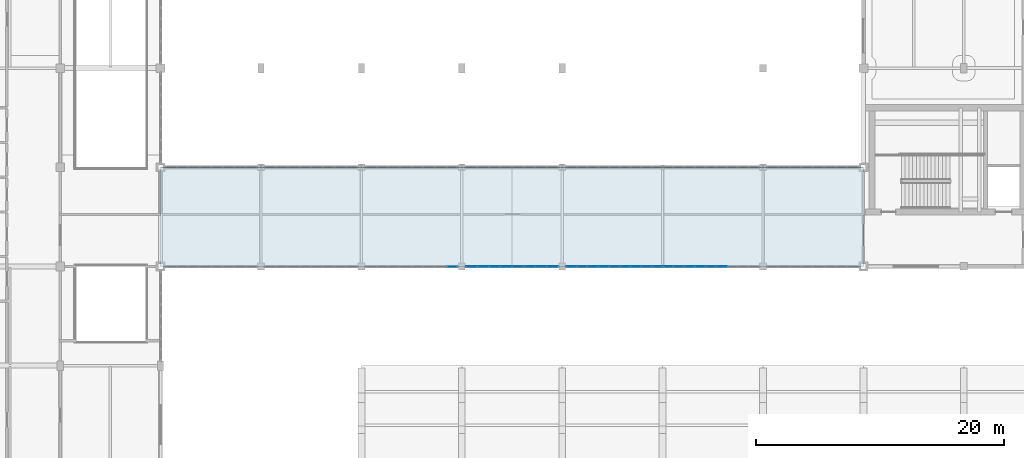
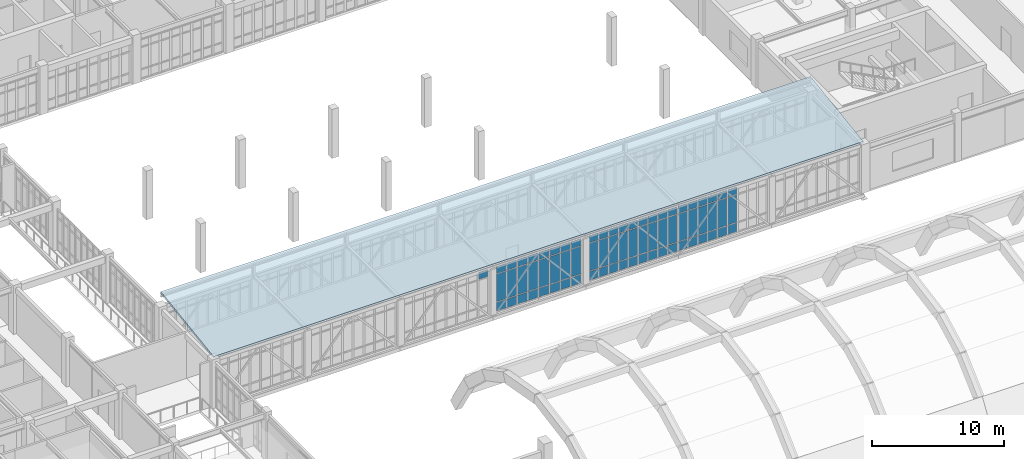
# One storey, part 37 of 67: 70 plates, 1 slab, 4 elements without a shape of their own.
"""IFC4 building model written with IfcOpenShell, lengths in metres."""

from ifc_helpers import new_model, si_unit, direction, frame, origin, origin_2d, place, context, subcontext, project, spatial, polyline, rectangle, outline, extrude, material, layer, layer_set, type_object, element, aggregate, save


model = new_model("IFC4")

# Units and contexts
model_context = context("Model", 3, precision=1e-05, world=origin(), true_north=direction((0.0, 1.0)))
body_context = subcontext(model_context, "Body", "Model", "MODEL_VIEW")
ifc_project = project(units=[si_unit("LENGTHUNIT", "METRE"), si_unit("AREAUNIT", "SQUARE_METRE"), si_unit("VOLUMEUNIT", "CUBIC_METRE"), si_unit("PLANEANGLEUNIT", "RADIAN"), si_unit("MASSUNIT", "GRAM", prefix="KILO")], contexts=[model_context])

# Site, building, storey
site_placement = place(None, origin())
site = spatial("IfcSite", under=ifc_project, at=site_placement, CompositionType="ELEMENT")
building_placement = place(site_placement, origin())
building = spatial("IfcBuilding", under=site, at=building_placement, Name="Tarnveldt Square Police Headquarters", CompositionType="ELEMENT")
storey_placement = place(building_placement, frame((0.0, 0.0, 10.199951171875)))
storey = spatial("IfcBuildingStorey", under=building, at=storey_placement, Name="L02", CompositionType="ELEMENT", Elevation=10.199951171875)

# Curtain wall, plate
ifc_material_1 = material(Name="Triple-glazed low-e laminated vision glass", Category="glass")
curtain_wall_type_1 = type_object("IfcCurtainWallType", Name="CW-SB-752x424", PredefinedType="USERDEFINED", material=ifc_material_1)
curtain_wall_1_placement = place(storey_placement, origin())
curtain_wall_1 = element("IfcCurtainWall", 1, at=curtain_wall_1_placement, inside=storey, type_object=curtain_wall_type_1, Name="L02 Curtain Wall CW-L02-140", ObjectType="GLAZED CURTAIN WALL", PredefinedType="USERDEFINED")
ifc_layer_1 = layer(ifc_material_1, 0.028076171875)
ifc_layer_set_1 = layer_set([ifc_layer_1], Name="Triple-glazed low-e laminated vision glass")
plate_type = type_object("IfcPlateType", Name="CWP-VIS-28", PredefinedType="CURTAIN_PANEL", material=ifc_layer_set_1)
plate_1_placement = place(storey_placement, frame((72.123779296875, 56.0, 3.5224609375), z_axis=(0.0, 0.0, 1.0), x_axis=(1.0, 0.0, 0.0)))
plate_1 = element("IfcPlate", 2, at=plate_1_placement, type_object=plate_type, Name="CW-SB86 panel 8.3", PredefinedType="CURTAIN_PANEL", context=body_context, shape_type="SweptSolid", body=[
    extrude(rectangle(XDim=0.842529296875, YDim=0.028076171875, at=origin_2d()), origin(), (0.0, 0.0, 1.0), 0.652587890625),
])
aggregate(curtain_wall_1, [plate_1])

# Curtain wall, plates
curtain_wall_2_placement = place(storey_placement, origin())
curtain_wall_2 = element("IfcCurtainWall", 3, at=curtain_wall_2_placement, inside=storey, type_object=curtain_wall_type_1, Name="L02 Curtain Wall CW-L02-141", ObjectType="GLAZED CURTAIN WALL", PredefinedType="USERDEFINED")
plate_2_placement = place(storey_placement, frame((73.67626953125, 56.0, 0.06494140625), z_axis=(0.0, 0.0, 1.0), x_axis=(1.0, 0.0, 0.0)))
plate_2 = element("IfcPlate", 4, at=plate_2_placement, type_object=plate_type, Name="CW-SB86 panel 1.1", PredefinedType="CURTAIN_PANEL", context=body_context, shape_type="SweptSolid", body=[
    extrude(rectangle(XDim=0.842529296875, YDim=0.028076171875, at=origin_2d()), origin(), (0.0, 0.0, 1.0), 0.802490234375),
])
plate_3_placement = place(storey_placement, frame((73.67626953125, 56.0, 0.9326171875), z_axis=(0.0, 0.0, 1.0), x_axis=(1.0, 0.0, 0.0)))
plate_3 = element("IfcPlate", 5, at=plate_3_placement, type_object=plate_type, Name="CW-SB86 panel 1.2", PredefinedType="CURTAIN_PANEL", context=body_context, shape_type="SweptSolid", body=[
    extrude(rectangle(XDim=0.842529296875, YDim=0.028076171875, at=origin_2d()), origin(), (0.0, 0.0, 1.0), 2.52490234375),
])
plate_4_placement = place(storey_placement, frame((73.67626953125, 56.0, 3.5224609375), z_axis=(0.0, 0.0, 1.0), x_axis=(1.0, 0.0, 0.0)))
plate_4 = element("IfcPlate", 6, at=plate_4_placement, type_object=plate_type, Name="CW-SB86 panel 1.3", PredefinedType="CURTAIN_PANEL", context=body_context, shape_type="SweptSolid", body=[
    extrude(rectangle(XDim=0.842529296875, YDim=0.028076171875, at=origin_2d()), origin(), (0.0, 0.0, 1.0), 0.652587890625),
])
plate_5_placement = place(storey_placement, frame((74.60009765625, 56.0, 0.06494140625), z_axis=(0.0, 0.0, 1.0), x_axis=(1.0, 0.0, 0.0)))
plate_5 = element("IfcPlate", 7, at=plate_5_placement, type_object=plate_type, Name="CW-SB86 panel 2.1", PredefinedType="CURTAIN_PANEL", context=body_context, shape_type="SweptSolid", body=[
    extrude(rectangle(XDim=0.875, YDim=0.028076171875, at=origin_2d()), origin(), (0.0, 0.0, 1.0), 0.802490234375),
])
plate_6_placement = place(storey_placement, frame((74.60009765625, 56.0, 0.9326171875), z_axis=(0.0, 0.0, 1.0), x_axis=(1.0, 0.0, 0.0)))
plate_6 = element("IfcPlate", 8, at=plate_6_placement, type_object=plate_type, Name="CW-SB86 panel 2.2", PredefinedType="CURTAIN_PANEL", context=body_context, shape_type="SweptSolid", body=[
    extrude(rectangle(XDim=0.875, YDim=0.028076171875, at=origin_2d()), origin(), (0.0, 0.0, 1.0), 2.52490234375),
])
plate_7_placement = place(storey_placement, frame((74.60009765625, 56.0, 3.5224609375), z_axis=(0.0, 0.0, 1.0), x_axis=(1.0, 0.0, 0.0)))
plate_7 = element("IfcPlate", 9, at=plate_7_placement, type_object=plate_type, Name="CW-SB86 panel 2.3", PredefinedType="CURTAIN_PANEL", context=body_context, shape_type="SweptSolid", body=[
    extrude(rectangle(XDim=0.875, YDim=0.028076171875, at=origin_2d()), origin(), (0.0, 0.0, 1.0), 0.652587890625),
])
plate_8_placement = place(storey_placement, frame((75.5400390625, 56.0, 0.06494140625), z_axis=(0.0, 0.0, 1.0), x_axis=(1.0, 0.0, 0.0)))
plate_8 = element("IfcPlate", 10, at=plate_8_placement, type_object=plate_type, Name="CW-SB86 panel 3.1", PredefinedType="CURTAIN_PANEL", context=body_context, shape_type="SweptSolid", body=[
    extrude(rectangle(XDim=0.875, YDim=0.028076171875, at=origin_2d()), origin(), (0.0, 0.0, 1.0), 0.802490234375),
])
plate_9_placement = place(storey_placement, frame((75.5400390625, 56.0, 0.9326171875), z_axis=(0.0, 0.0, 1.0), x_axis=(1.0, 0.0, 0.0)))
plate_9 = element("IfcPlate", 11, at=plate_9_placement, type_object=plate_type, Name="CW-SB86 panel 3.2", PredefinedType="CURTAIN_PANEL", context=body_context, shape_type="SweptSolid", body=[
    extrude(rectangle(XDim=0.875, YDim=0.028076171875, at=origin_2d()), origin(), (0.0, 0.0, 1.0), 2.52490234375),
])
plate_10_placement = place(storey_placement, frame((75.5400390625, 56.0, 3.5224609375), z_axis=(0.0, 0.0, 1.0), x_axis=(1.0, 0.0, 0.0)))
plate_10 = element("IfcPlate", 12, at=plate_10_placement, type_object=plate_type, Name="CW-SB86 panel 3.3", PredefinedType="CURTAIN_PANEL", context=body_context, shape_type="SweptSolid", body=[
    extrude(rectangle(XDim=0.875, YDim=0.028076171875, at=origin_2d()), origin(), (0.0, 0.0, 1.0), 0.652587890625),
])
plate_11_placement = place(storey_placement, frame((76.47998046875, 56.0, 0.06494140625), z_axis=(0.0, 0.0, 1.0), x_axis=(1.0, 0.0, 0.0)))
plate_11 = element("IfcPlate", 13, at=plate_11_placement, type_object=plate_type, Name="CW-SB86 panel 4.1", PredefinedType="CURTAIN_PANEL", context=body_context, shape_type="SweptSolid", body=[
    extrude(rectangle(XDim=0.875, YDim=0.028076171875, at=origin_2d()), origin(), (0.0, 0.0, 1.0), 0.802490234375),
])
plate_12_placement = place(storey_placement, frame((76.47998046875, 56.0, 0.9326171875), z_axis=(0.0, 0.0, 1.0), x_axis=(1.0, 0.0, 0.0)))
plate_12 = element("IfcPlate", 14, at=plate_12_placement, type_object=plate_type, Name="CW-SB86 panel 4.2", PredefinedType="CURTAIN_PANEL", context=body_context, shape_type="SweptSolid", body=[
    extrude(rectangle(XDim=0.875, YDim=0.028076171875, at=origin_2d()), origin(), (0.0, 0.0, 1.0), 2.52490234375),
])
plate_13_placement = place(storey_placement, frame((76.47998046875, 56.0, 3.5224609375), z_axis=(0.0, 0.0, 1.0), x_axis=(1.0, 0.0, 0.0)))
plate_13 = element("IfcPlate", 15, at=plate_13_placement, type_object=plate_type, Name="CW-SB86 panel 4.3", PredefinedType="CURTAIN_PANEL", context=body_context, shape_type="SweptSolid", body=[
    extrude(rectangle(XDim=0.875, YDim=0.028076171875, at=origin_2d()), origin(), (0.0, 0.0, 1.0), 0.652587890625),
])
plate_14_placement = place(storey_placement, frame((77.419921875, 56.0, 0.06494140625), z_axis=(0.0, 0.0, 1.0), x_axis=(1.0, 0.0, 0.0)))
plate_14 = element("IfcPlate", 16, at=plate_14_placement, type_object=plate_type, Name="CW-SB86 panel 5.1", PredefinedType="CURTAIN_PANEL", context=body_context, shape_type="SweptSolid", body=[
    extrude(rectangle(XDim=0.875, YDim=0.028076171875, at=origin_2d()), origin(), (0.0, 0.0, 1.0), 0.802490234375),
])
plate_15_placement = place(storey_placement, frame((77.419921875, 56.0, 0.9326171875), z_axis=(0.0, 0.0, 1.0), x_axis=(1.0, 0.0, 0.0)))
plate_15 = element("IfcPlate", 17, at=plate_15_placement, type_object=plate_type, Name="CW-SB86 panel 5.2", PredefinedType="CURTAIN_PANEL", context=body_context, shape_type="SweptSolid", body=[
    extrude(rectangle(XDim=0.875, YDim=0.028076171875, at=origin_2d()), origin(), (0.0, 0.0, 1.0), 2.52490234375),
])
plate_16_placement = place(storey_placement, frame((77.419921875, 56.0, 3.5224609375), z_axis=(0.0, 0.0, 1.0), x_axis=(1.0, 0.0, 0.0)))
plate_16 = element("IfcPlate", 18, at=plate_16_placement, type_object=plate_type, Name="CW-SB86 panel 5.3", PredefinedType="CURTAIN_PANEL", context=body_context, shape_type="SweptSolid", body=[
    extrude(rectangle(XDim=0.875, YDim=0.028076171875, at=origin_2d()), origin(), (0.0, 0.0, 1.0), 0.652587890625),
])
plate_17_placement = place(storey_placement, frame((78.360107421875, 56.0, 0.06494140625), z_axis=(0.0, 0.0, 1.0), x_axis=(1.0, 0.0, 0.0)))
plate_17 = element("IfcPlate", 19, at=plate_17_placement, type_object=plate_type, Name="CW-SB86 panel 6.1", PredefinedType="CURTAIN_PANEL", context=body_context, shape_type="SweptSolid", body=[
    extrude(rectangle(XDim=0.875, YDim=0.028076171875, at=origin_2d()), origin(), (0.0, 0.0, 1.0), 0.802490234375),
])
plate_18_placement = place(storey_placement, frame((78.360107421875, 56.0, 0.9326171875), z_axis=(0.0, 0.0, 1.0), x_axis=(1.0, 0.0, 0.0)))
plate_18 = element("IfcPlate", 20, at=plate_18_placement, type_object=plate_type, Name="CW-SB86 panel 6.2", PredefinedType="CURTAIN_PANEL", context=body_context, shape_type="SweptSolid", body=[
    extrude(rectangle(XDim=0.875, YDim=0.028076171875, at=origin_2d()), origin(), (0.0, 0.0, 1.0), 2.52490234375),
])
plate_19_placement = place(storey_placement, frame((78.360107421875, 56.0, 3.5224609375), z_axis=(0.0, 0.0, 1.0), x_axis=(1.0, 0.0, 0.0)))
plate_19 = element("IfcPlate", 21, at=plate_19_placement, type_object=plate_type, Name="CW-SB86 panel 6.3", PredefinedType="CURTAIN_PANEL", context=body_context, shape_type="SweptSolid", body=[
    extrude(rectangle(XDim=0.875, YDim=0.028076171875, at=origin_2d()), origin(), (0.0, 0.0, 1.0), 0.652587890625),
])
plate_20_placement = place(storey_placement, frame((79.300048828125, 56.0, 0.06494140625), z_axis=(0.0, 0.0, 1.0), x_axis=(1.0, 0.0, 0.0)))
plate_20 = element("IfcPlate", 22, at=plate_20_placement, type_object=plate_type, Name="CW-SB86 panel 7.1", PredefinedType="CURTAIN_PANEL", context=body_context, shape_type="SweptSolid", body=[
    extrude(rectangle(XDim=0.875, YDim=0.028076171875, at=origin_2d()), origin(), (0.0, 0.0, 1.0), 0.802490234375),
])
plate_21_placement = place(storey_placement, frame((79.300048828125, 56.0, 0.9326171875), z_axis=(0.0, 0.0, 1.0), x_axis=(1.0, 0.0, 0.0)))
plate_21 = element("IfcPlate", 23, at=plate_21_placement, type_object=plate_type, Name="CW-SB86 panel 7.2", PredefinedType="CURTAIN_PANEL", context=body_context, shape_type="SweptSolid", body=[
    extrude(rectangle(XDim=0.875, YDim=0.028076171875, at=origin_2d()), origin(), (0.0, 0.0, 1.0), 2.52490234375),
])
plate_22_placement = place(storey_placement, frame((79.300048828125, 56.0, 3.5224609375), z_axis=(0.0, 0.0, 1.0), x_axis=(1.0, 0.0, 0.0)))
plate_22 = element("IfcPlate", 24, at=plate_22_placement, type_object=plate_type, Name="CW-SB86 panel 7.3", PredefinedType="CURTAIN_PANEL", context=body_context, shape_type="SweptSolid", body=[
    extrude(rectangle(XDim=0.875, YDim=0.028076171875, at=origin_2d()), origin(), (0.0, 0.0, 1.0), 0.652587890625),
])
plate_23_placement = place(storey_placement, frame((80.2236328125, 56.0, 0.06494140625), z_axis=(0.0, 0.0, 1.0), x_axis=(1.0, 0.0, 0.0)))
plate_23 = element("IfcPlate", 25, at=plate_23_placement, type_object=plate_type, Name="CW-SB86 panel 8.1", PredefinedType="CURTAIN_PANEL", context=body_context, shape_type="SweptSolid", body=[
    extrude(rectangle(XDim=0.842529296875, YDim=0.028076171875, at=origin_2d()), origin(), (0.0, 0.0, 1.0), 0.802490234375),
])
plate_24_placement = place(storey_placement, frame((80.2236328125, 56.0, 0.9326171875), z_axis=(0.0, 0.0, 1.0), x_axis=(1.0, 0.0, 0.0)))
plate_24 = element("IfcPlate", 26, at=plate_24_placement, type_object=plate_type, Name="CW-SB86 panel 8.2", PredefinedType="CURTAIN_PANEL", context=body_context, shape_type="SweptSolid", body=[
    extrude(rectangle(XDim=0.842529296875, YDim=0.028076171875, at=origin_2d()), origin(), (0.0, 0.0, 1.0), 2.52490234375),
])
plate_25_placement = place(storey_placement, frame((80.2236328125, 56.0, 3.5224609375), z_axis=(0.0, 0.0, 1.0), x_axis=(1.0, 0.0, 0.0)))
plate_25 = element("IfcPlate", 27, at=plate_25_placement, type_object=plate_type, Name="CW-SB86 panel 8.3", PredefinedType="CURTAIN_PANEL", context=body_context, shape_type="SweptSolid", body=[
    extrude(rectangle(XDim=0.842529296875, YDim=0.028076171875, at=origin_2d()), origin(), (0.0, 0.0, 1.0), 0.652587890625),
])
aggregate(curtain_wall_2, [plate_2, plate_3, plate_4, plate_5, plate_6, plate_7, plate_8, plate_9, plate_10, plate_11, plate_12, plate_13, plate_14, plate_15, plate_16, plate_17, plate_18, plate_19, plate_20, plate_21, plate_22, plate_23, plate_24, plate_25])

curtain_wall_type_2 = type_object("IfcCurtainWallType", Name="CW-SB-781x424", PredefinedType="USERDEFINED", material=ifc_material_1)
curtain_wall_3_placement = place(storey_placement, origin())
curtain_wall_3 = element("IfcCurtainWall", 28, at=curtain_wall_3_placement, inside=storey, type_object=curtain_wall_type_2, Name="L02 Curtain Wall CW-L02-142", ObjectType="GLAZED CURTAIN WALL", PredefinedType="USERDEFINED")
plate_26_placement = place(storey_placement, frame((81.740234375, 56.0, 0.06494140625), z_axis=(0.0, 0.0, 1.0), x_axis=(1.0, 0.0, 0.0)))
plate_26 = element("IfcPlate", 29, at=plate_26_placement, type_object=plate_type, Name="CW-SB87 panel 1.1", PredefinedType="CURTAIN_PANEL", context=body_context, shape_type="SweptSolid", body=[
    extrude(rectangle(XDim=0.770263671875, YDim=0.028076171875, at=origin_2d()), origin(), (0.0, 0.0, 1.0), 0.802490234375),
])
plate_27_placement = place(storey_placement, frame((81.740234375, 56.0, 0.9326171875), z_axis=(0.0, 0.0, 1.0), x_axis=(1.0, 0.0, 0.0)))
plate_27 = element("IfcPlate", 30, at=plate_27_placement, type_object=plate_type, Name="CW-SB87 panel 1.2", PredefinedType="CURTAIN_PANEL", context=body_context, shape_type="SweptSolid", body=[
    extrude(rectangle(XDim=0.770263671875, YDim=0.028076171875, at=origin_2d()), origin(), (0.0, 0.0, 1.0), 2.52490234375),
])
plate_28_placement = place(storey_placement, frame((81.740234375, 56.0, 3.5224609375), z_axis=(0.0, 0.0, 1.0), x_axis=(1.0, 0.0, 0.0)))
plate_28 = element("IfcPlate", 31, at=plate_28_placement, type_object=plate_type, Name="CW-SB87 panel 1.3", PredefinedType="CURTAIN_PANEL", context=body_context, shape_type="SweptSolid", body=[
    extrude(rectangle(XDim=0.770263671875, YDim=0.028076171875, at=origin_2d()), origin(), (0.0, 0.0, 1.0), 0.652587890625),
])
plate_29_placement = place(storey_placement, frame((82.591552734375, 56.0, 0.06494140625), z_axis=(0.0, 0.0, 1.0), x_axis=(1.0, 0.0, 0.0)))
plate_29 = element("IfcPlate", 32, at=plate_29_placement, type_object=plate_type, Name="CW-SB87 panel 2.1", PredefinedType="CURTAIN_PANEL", context=body_context, shape_type="SweptSolid", body=[
    extrude(rectangle(XDim=0.802734375, YDim=0.028076171875, at=origin_2d()), origin(), (0.0, 0.0, 1.0), 0.802490234375),
])
plate_30_placement = place(storey_placement, frame((82.591552734375, 56.0, 0.9326171875), z_axis=(0.0, 0.0, 1.0), x_axis=(1.0, 0.0, 0.0)))
plate_30 = element("IfcPlate", 33, at=plate_30_placement, type_object=plate_type, Name="CW-SB87 panel 2.2", PredefinedType="CURTAIN_PANEL", context=body_context, shape_type="SweptSolid", body=[
    extrude(rectangle(XDim=0.802734375, YDim=0.028076171875, at=origin_2d()), origin(), (0.0, 0.0, 1.0), 2.52490234375),
])
plate_31_placement = place(storey_placement, frame((82.591552734375, 56.0, 3.5224609375), z_axis=(0.0, 0.0, 1.0), x_axis=(1.0, 0.0, 0.0)))
plate_31 = element("IfcPlate", 34, at=plate_31_placement, type_object=plate_type, Name="CW-SB87 panel 2.3", PredefinedType="CURTAIN_PANEL", context=body_context, shape_type="SweptSolid", body=[
    extrude(rectangle(XDim=0.802734375, YDim=0.028076171875, at=origin_2d()), origin(), (0.0, 0.0, 1.0), 0.652587890625),
])
plate_32_placement = place(storey_placement, frame((83.45947265625, 56.0, 0.06494140625), z_axis=(0.0, 0.0, 1.0), x_axis=(1.0, 0.0, 0.0)))
plate_32 = element("IfcPlate", 35, at=plate_32_placement, type_object=plate_type, Name="CW-SB87 panel 3.1", PredefinedType="CURTAIN_PANEL", context=body_context, shape_type="SweptSolid", body=[
    extrude(rectangle(XDim=0.802734375, YDim=0.028076171875, at=origin_2d()), origin(), (0.0, 0.0, 1.0), 0.802490234375),
])
plate_33_placement = place(storey_placement, frame((83.45947265625, 56.0, 0.9326171875), z_axis=(0.0, 0.0, 1.0), x_axis=(1.0, 0.0, 0.0)))
plate_33 = element("IfcPlate", 36, at=plate_33_placement, type_object=plate_type, Name="CW-SB87 panel 3.2", PredefinedType="CURTAIN_PANEL", context=body_context, shape_type="SweptSolid", body=[
    extrude(rectangle(XDim=0.802734375, YDim=0.028076171875, at=origin_2d()), origin(), (0.0, 0.0, 1.0), 2.52490234375),
])
plate_34_placement = place(storey_placement, frame((83.45947265625, 56.0, 3.5224609375), z_axis=(0.0, 0.0, 1.0), x_axis=(1.0, 0.0, 0.0)))
plate_34 = element("IfcPlate", 37, at=plate_34_placement, type_object=plate_type, Name="CW-SB87 panel 3.3", PredefinedType="CURTAIN_PANEL", context=body_context, shape_type="SweptSolid", body=[
    extrude(rectangle(XDim=0.802734375, YDim=0.028076171875, at=origin_2d()), origin(), (0.0, 0.0, 1.0), 0.652587890625),
])
plate_35_placement = place(storey_placement, frame((84.3271484375, 56.0, 0.06494140625), z_axis=(0.0, 0.0, 1.0), x_axis=(1.0, 0.0, 0.0)))
plate_35 = element("IfcPlate", 38, at=plate_35_placement, type_object=plate_type, Name="CW-SB87 panel 4.1", PredefinedType="CURTAIN_PANEL", context=body_context, shape_type="SweptSolid", body=[
    extrude(rectangle(XDim=0.802734375, YDim=0.028076171875, at=origin_2d()), origin(), (0.0, 0.0, 1.0), 0.802490234375),
])
plate_36_placement = place(storey_placement, frame((84.3271484375, 56.0, 0.9326171875), z_axis=(0.0, 0.0, 1.0), x_axis=(1.0, 0.0, 0.0)))
plate_36 = element("IfcPlate", 39, at=plate_36_placement, type_object=plate_type, Name="CW-SB87 panel 4.2", PredefinedType="CURTAIN_PANEL", context=body_context, shape_type="SweptSolid", body=[
    extrude(rectangle(XDim=0.802734375, YDim=0.028076171875, at=origin_2d()), origin(), (0.0, 0.0, 1.0), 2.52490234375),
])
plate_37_placement = place(storey_placement, frame((84.3271484375, 56.0, 3.5224609375), z_axis=(0.0, 0.0, 1.0), x_axis=(1.0, 0.0, 0.0)))
plate_37 = element("IfcPlate", 40, at=plate_37_placement, type_object=plate_type, Name="CW-SB87 panel 4.3", PredefinedType="CURTAIN_PANEL", context=body_context, shape_type="SweptSolid", body=[
    extrude(rectangle(XDim=0.802734375, YDim=0.028076171875, at=origin_2d()), origin(), (0.0, 0.0, 1.0), 0.652587890625),
])
plate_38_placement = place(storey_placement, frame((85.195068359375, 56.0, 0.06494140625), z_axis=(0.0, 0.0, 1.0), x_axis=(1.0, 0.0, 0.0)))
plate_38 = element("IfcPlate", 41, at=plate_38_placement, type_object=plate_type, Name="CW-SB87 panel 5.1", PredefinedType="CURTAIN_PANEL", context=body_context, shape_type="SweptSolid", body=[
    extrude(rectangle(XDim=0.802734375, YDim=0.028076171875, at=origin_2d()), origin(), (0.0, 0.0, 1.0), 0.802490234375),
])
plate_39_placement = place(storey_placement, frame((85.195068359375, 56.0, 0.9326171875), z_axis=(0.0, 0.0, 1.0), x_axis=(1.0, 0.0, 0.0)))
plate_39 = element("IfcPlate", 42, at=plate_39_placement, type_object=plate_type, Name="CW-SB87 panel 5.2", PredefinedType="CURTAIN_PANEL", context=body_context, shape_type="SweptSolid", body=[
    extrude(rectangle(XDim=0.802734375, YDim=0.028076171875, at=origin_2d()), origin(), (0.0, 0.0, 1.0), 2.52490234375),
])
plate_40_placement = place(storey_placement, frame((85.195068359375, 56.0, 3.5224609375), z_axis=(0.0, 0.0, 1.0), x_axis=(1.0, 0.0, 0.0)))
plate_40 = element("IfcPlate", 43, at=plate_40_placement, type_object=plate_type, Name="CW-SB87 panel 5.3", PredefinedType="CURTAIN_PANEL", context=body_context, shape_type="SweptSolid", body=[
    extrude(rectangle(XDim=0.802734375, YDim=0.028076171875, at=origin_2d()), origin(), (0.0, 0.0, 1.0), 0.652587890625),
])
plate_41_placement = place(storey_placement, frame((86.062744140625, 56.0, 0.06494140625), z_axis=(0.0, 0.0, 1.0), x_axis=(1.0, 0.0, 0.0)))
plate_41 = element("IfcPlate", 44, at=plate_41_placement, type_object=plate_type, Name="CW-SB87 panel 6.1", PredefinedType="CURTAIN_PANEL", context=body_context, shape_type="SweptSolid", body=[
    extrude(rectangle(XDim=0.802734375, YDim=0.028076171875, at=origin_2d()), origin(), (0.0, 0.0, 1.0), 0.802490234375),
])
plate_42_placement = place(storey_placement, frame((86.062744140625, 56.0, 0.9326171875), z_axis=(0.0, 0.0, 1.0), x_axis=(1.0, 0.0, 0.0)))
plate_42 = element("IfcPlate", 45, at=plate_42_placement, type_object=plate_type, Name="CW-SB87 panel 6.2", PredefinedType="CURTAIN_PANEL", context=body_context, shape_type="SweptSolid", body=[
    extrude(rectangle(XDim=0.802734375, YDim=0.028076171875, at=origin_2d()), origin(), (0.0, 0.0, 1.0), 2.52490234375),
])
plate_43_placement = place(storey_placement, frame((86.062744140625, 56.0, 3.5224609375), z_axis=(0.0, 0.0, 1.0), x_axis=(1.0, 0.0, 0.0)))
plate_43 = element("IfcPlate", 46, at=plate_43_placement, type_object=plate_type, Name="CW-SB87 panel 6.3", PredefinedType="CURTAIN_PANEL", context=body_context, shape_type="SweptSolid", body=[
    extrude(rectangle(XDim=0.802734375, YDim=0.028076171875, at=origin_2d()), origin(), (0.0, 0.0, 1.0), 0.652587890625),
])
plate_44_placement = place(storey_placement, frame((86.9306640625, 56.0, 0.06494140625), z_axis=(0.0, 0.0, 1.0), x_axis=(1.0, 0.0, 0.0)))
plate_44 = element("IfcPlate", 47, at=plate_44_placement, type_object=plate_type, Name="CW-SB87 panel 7.1", PredefinedType="CURTAIN_PANEL", context=body_context, shape_type="SweptSolid", body=[
    extrude(rectangle(XDim=0.802734375, YDim=0.028076171875, at=origin_2d()), origin(), (0.0, 0.0, 1.0), 0.802490234375),
])
plate_45_placement = place(storey_placement, frame((86.9306640625, 56.0, 0.9326171875), z_axis=(0.0, 0.0, 1.0), x_axis=(1.0, 0.0, 0.0)))
plate_45 = element("IfcPlate", 48, at=plate_45_placement, type_object=plate_type, Name="CW-SB87 panel 7.2", PredefinedType="CURTAIN_PANEL", context=body_context, shape_type="SweptSolid", body=[
    extrude(rectangle(XDim=0.802734375, YDim=0.028076171875, at=origin_2d()), origin(), (0.0, 0.0, 1.0), 2.52490234375),
])
plate_46_placement = place(storey_placement, frame((86.9306640625, 56.0, 3.5224609375), z_axis=(0.0, 0.0, 1.0), x_axis=(1.0, 0.0, 0.0)))
plate_46 = element("IfcPlate", 49, at=plate_46_placement, type_object=plate_type, Name="CW-SB87 panel 7.3", PredefinedType="CURTAIN_PANEL", context=body_context, shape_type="SweptSolid", body=[
    extrude(rectangle(XDim=0.802734375, YDim=0.028076171875, at=origin_2d()), origin(), (0.0, 0.0, 1.0), 0.652587890625),
])
plate_47_placement = place(storey_placement, frame((87.79833984375, 56.0, 0.06494140625), z_axis=(0.0, 0.0, 1.0), x_axis=(1.0, 0.0, 0.0)))
plate_47 = element("IfcPlate", 50, at=plate_47_placement, type_object=plate_type, Name="CW-SB87 panel 8.1", PredefinedType="CURTAIN_PANEL", context=body_context, shape_type="SweptSolid", body=[
    extrude(rectangle(XDim=0.802734375, YDim=0.028076171875, at=origin_2d()), origin(), (0.0, 0.0, 1.0), 0.802490234375),
])
plate_48_placement = place(storey_placement, frame((87.79833984375, 56.0, 0.9326171875), z_axis=(0.0, 0.0, 1.0), x_axis=(1.0, 0.0, 0.0)))
plate_48 = element("IfcPlate", 51, at=plate_48_placement, type_object=plate_type, Name="CW-SB87 panel 8.2", PredefinedType="CURTAIN_PANEL", context=body_context, shape_type="SweptSolid", body=[
    extrude(rectangle(XDim=0.802734375, YDim=0.028076171875, at=origin_2d()), origin(), (0.0, 0.0, 1.0), 2.52490234375),
])
plate_49_placement = place(storey_placement, frame((87.79833984375, 56.0, 3.5224609375), z_axis=(0.0, 0.0, 1.0), x_axis=(1.0, 0.0, 0.0)))
plate_49 = element("IfcPlate", 52, at=plate_49_placement, type_object=plate_type, Name="CW-SB87 panel 8.3", PredefinedType="CURTAIN_PANEL", context=body_context, shape_type="SweptSolid", body=[
    extrude(rectangle(XDim=0.802734375, YDim=0.028076171875, at=origin_2d()), origin(), (0.0, 0.0, 1.0), 0.652587890625),
])
plate_50_placement = place(storey_placement, frame((88.64990234375, 56.0, 0.06494140625), z_axis=(0.0, 0.0, 1.0), x_axis=(1.0, 0.0, 0.0)))
plate_50 = element("IfcPlate", 53, at=plate_50_placement, type_object=plate_type, Name="CW-SB87 panel 9.1", PredefinedType="CURTAIN_PANEL", context=body_context, shape_type="SweptSolid", body=[
    extrude(rectangle(XDim=0.770263671875, YDim=0.028076171875, at=origin_2d()), origin(), (0.0, 0.0, 1.0), 0.802490234375),
])
plate_51_placement = place(storey_placement, frame((88.64990234375, 56.0, 0.9326171875), z_axis=(0.0, 0.0, 1.0), x_axis=(1.0, 0.0, 0.0)))
plate_51 = element("IfcPlate", 54, at=plate_51_placement, type_object=plate_type, Name="CW-SB87 panel 9.2", PredefinedType="CURTAIN_PANEL", context=body_context, shape_type="SweptSolid", body=[
    extrude(rectangle(XDim=0.770263671875, YDim=0.028076171875, at=origin_2d()), origin(), (0.0, 0.0, 1.0), 2.52490234375),
])
plate_52_placement = place(storey_placement, frame((88.64990234375, 56.0, 3.5224609375), z_axis=(0.0, 0.0, 1.0), x_axis=(1.0, 0.0, 0.0)))
plate_52 = element("IfcPlate", 55, at=plate_52_placement, type_object=plate_type, Name="CW-SB87 panel 9.3", PredefinedType="CURTAIN_PANEL", context=body_context, shape_type="SweptSolid", body=[
    extrude(rectangle(XDim=0.770263671875, YDim=0.028076171875, at=origin_2d()), origin(), (0.0, 0.0, 1.0), 0.652587890625),
])
aggregate(curtain_wall_3, [plate_26, plate_27, plate_28, plate_29, plate_30, plate_31, plate_32, plate_33, plate_34, plate_35, plate_36, plate_37, plate_38, plate_39, plate_40, plate_41, plate_42, plate_43, plate_44, plate_45, plate_46, plate_47, plate_48, plate_49, plate_50, plate_51, plate_52])

curtain_wall_4_placement = place(storey_placement, origin())
curtain_wall_4 = element("IfcCurtainWall", 56, at=curtain_wall_4_placement, inside=storey, type_object=curtain_wall_type_2, Name="L02 Curtain Wall CW-L02-143", ObjectType="GLAZED CURTAIN WALL", PredefinedType="USERDEFINED")
plate_53_placement = place(storey_placement, frame((89.550048828125, 56.0, 0.06494140625), z_axis=(0.0, 0.0, 1.0), x_axis=(1.0, 0.0, 0.0)))
plate_53 = element("IfcPlate", 57, at=plate_53_placement, type_object=plate_type, Name="CW-SB87 panel 1.1", PredefinedType="CURTAIN_PANEL", context=body_context, shape_type="SweptSolid", body=[
    extrude(rectangle(XDim=0.770263671875, YDim=0.028076171875, at=origin_2d()), origin(), (0.0, 0.0, 1.0), 0.802490234375),
])
plate_54_placement = place(storey_placement, frame((89.550048828125, 56.0, 0.9326171875), z_axis=(0.0, 0.0, 1.0), x_axis=(1.0, 0.0, 0.0)))
plate_54 = element("IfcPlate", 58, at=plate_54_placement, type_object=plate_type, Name="CW-SB87 panel 1.2", PredefinedType="CURTAIN_PANEL", context=body_context, shape_type="SweptSolid", body=[
    extrude(rectangle(XDim=0.770263671875, YDim=0.028076171875, at=origin_2d()), origin(), (0.0, 0.0, 1.0), 2.52490234375),
])
plate_55_placement = place(storey_placement, frame((89.550048828125, 56.0, 3.5224609375), z_axis=(0.0, 0.0, 1.0), x_axis=(1.0, 0.0, 0.0)))
plate_55 = element("IfcPlate", 59, at=plate_55_placement, type_object=plate_type, Name="CW-SB87 panel 1.3", PredefinedType="CURTAIN_PANEL", context=body_context, shape_type="SweptSolid", body=[
    extrude(rectangle(XDim=0.770263671875, YDim=0.028076171875, at=origin_2d()), origin(), (0.0, 0.0, 1.0), 0.652587890625),
])
plate_56_placement = place(storey_placement, frame((90.401611328125, 56.0, 0.06494140625), z_axis=(0.0, 0.0, 1.0), x_axis=(1.0, 0.0, 0.0)))
plate_56 = element("IfcPlate", 60, at=plate_56_placement, type_object=plate_type, Name="CW-SB87 panel 2.1", PredefinedType="CURTAIN_PANEL", context=body_context, shape_type="SweptSolid", body=[
    extrude(rectangle(XDim=0.802734375, YDim=0.028076171875, at=origin_2d()), origin(), (0.0, 0.0, 1.0), 0.802490234375),
])
plate_57_placement = place(storey_placement, frame((90.401611328125, 56.0, 0.9326171875), z_axis=(0.0, 0.0, 1.0), x_axis=(1.0, 0.0, 0.0)))
plate_57 = element("IfcPlate", 61, at=plate_57_placement, type_object=plate_type, Name="CW-SB87 panel 2.2", PredefinedType="CURTAIN_PANEL", context=body_context, shape_type="SweptSolid", body=[
    extrude(rectangle(XDim=0.802734375, YDim=0.028076171875, at=origin_2d()), origin(), (0.0, 0.0, 1.0), 2.52490234375),
])
plate_58_placement = place(storey_placement, frame((90.401611328125, 56.0, 3.5224609375), z_axis=(0.0, 0.0, 1.0), x_axis=(1.0, 0.0, 0.0)))
plate_58 = element("IfcPlate", 62, at=plate_58_placement, type_object=plate_type, Name="CW-SB87 panel 2.3", PredefinedType="CURTAIN_PANEL", context=body_context, shape_type="SweptSolid", body=[
    extrude(rectangle(XDim=0.802734375, YDim=0.028076171875, at=origin_2d()), origin(), (0.0, 0.0, 1.0), 0.652587890625),
])
plate_59_placement = place(storey_placement, frame((91.26953125, 56.0, 0.06494140625), z_axis=(0.0, 0.0, 1.0), x_axis=(1.0, 0.0, 0.0)))
plate_59 = element("IfcPlate", 63, at=plate_59_placement, type_object=plate_type, Name="CW-SB87 panel 3.1", PredefinedType="CURTAIN_PANEL", context=body_context, shape_type="SweptSolid", body=[
    extrude(rectangle(XDim=0.802734375, YDim=0.028076171875, at=origin_2d()), origin(), (0.0, 0.0, 1.0), 0.802490234375),
])
plate_60_placement = place(storey_placement, frame((91.26953125, 56.0, 0.9326171875), z_axis=(0.0, 0.0, 1.0), x_axis=(1.0, 0.0, 0.0)))
plate_60 = element("IfcPlate", 64, at=plate_60_placement, type_object=plate_type, Name="CW-SB87 panel 3.2", PredefinedType="CURTAIN_PANEL", context=body_context, shape_type="SweptSolid", body=[
    extrude(rectangle(XDim=0.802734375, YDim=0.028076171875, at=origin_2d()), origin(), (0.0, 0.0, 1.0), 2.52490234375),
])
plate_61_placement = place(storey_placement, frame((91.26953125, 56.0, 3.5224609375), z_axis=(0.0, 0.0, 1.0), x_axis=(1.0, 0.0, 0.0)))
plate_61 = element("IfcPlate", 65, at=plate_61_placement, type_object=plate_type, Name="CW-SB87 panel 3.3", PredefinedType="CURTAIN_PANEL", context=body_context, shape_type="SweptSolid", body=[
    extrude(rectangle(XDim=0.802734375, YDim=0.028076171875, at=origin_2d()), origin(), (0.0, 0.0, 1.0), 0.652587890625),
])
plate_62_placement = place(storey_placement, frame((92.13720703125, 56.0, 0.06494140625), z_axis=(0.0, 0.0, 1.0), x_axis=(1.0, 0.0, 0.0)))
plate_62 = element("IfcPlate", 66, at=plate_62_placement, type_object=plate_type, Name="CW-SB87 panel 4.1", PredefinedType="CURTAIN_PANEL", context=body_context, shape_type="SweptSolid", body=[
    extrude(rectangle(XDim=0.802734375, YDim=0.028076171875, at=origin_2d()), origin(), (0.0, 0.0, 1.0), 0.802490234375),
])
plate_63_placement = place(storey_placement, frame((92.13720703125, 56.0, 0.9326171875), z_axis=(0.0, 0.0, 1.0), x_axis=(1.0, 0.0, 0.0)))
plate_63 = element("IfcPlate", 67, at=plate_63_placement, type_object=plate_type, Name="CW-SB87 panel 4.2", PredefinedType="CURTAIN_PANEL", context=body_context, shape_type="SweptSolid", body=[
    extrude(rectangle(XDim=0.802734375, YDim=0.028076171875, at=origin_2d()), origin(), (0.0, 0.0, 1.0), 2.52490234375),
])
plate_64_placement = place(storey_placement, frame((92.13720703125, 56.0, 3.5224609375), z_axis=(0.0, 0.0, 1.0), x_axis=(1.0, 0.0, 0.0)))
plate_64 = element("IfcPlate", 68, at=plate_64_placement, type_object=plate_type, Name="CW-SB87 panel 4.3", PredefinedType="CURTAIN_PANEL", context=body_context, shape_type="SweptSolid", body=[
    extrude(rectangle(XDim=0.802734375, YDim=0.028076171875, at=origin_2d()), origin(), (0.0, 0.0, 1.0), 0.652587890625),
])
plate_65_placement = place(storey_placement, frame((93.0048828125, 56.0, 0.06494140625), z_axis=(0.0, 0.0, 1.0), x_axis=(1.0, 0.0, 0.0)))
plate_65 = element("IfcPlate", 69, at=plate_65_placement, type_object=plate_type, Name="CW-SB87 panel 5.1", PredefinedType="CURTAIN_PANEL", context=body_context, shape_type="SweptSolid", body=[
    extrude(rectangle(XDim=0.802734375, YDim=0.028076171875, at=origin_2d()), origin(), (0.0, 0.0, 1.0), 0.802490234375),
])
plate_66_placement = place(storey_placement, frame((93.0048828125, 56.0, 0.9326171875), z_axis=(0.0, 0.0, 1.0), x_axis=(1.0, 0.0, 0.0)))
plate_66 = element("IfcPlate", 70, at=plate_66_placement, type_object=plate_type, Name="CW-SB87 panel 5.2", PredefinedType="CURTAIN_PANEL", context=body_context, shape_type="SweptSolid", body=[
    extrude(rectangle(XDim=0.802734375, YDim=0.028076171875, at=origin_2d()), origin(), (0.0, 0.0, 1.0), 2.52490234375),
])
plate_67_placement = place(storey_placement, frame((93.0048828125, 56.0, 3.5224609375), z_axis=(0.0, 0.0, 1.0), x_axis=(1.0, 0.0, 0.0)))
plate_67 = element("IfcPlate", 71, at=plate_67_placement, type_object=plate_type, Name="CW-SB87 panel 5.3", PredefinedType="CURTAIN_PANEL", context=body_context, shape_type="SweptSolid", body=[
    extrude(rectangle(XDim=0.802734375, YDim=0.028076171875, at=origin_2d()), origin(), (0.0, 0.0, 1.0), 0.652587890625),
])
plate_68_placement = place(storey_placement, frame((93.872802734375, 56.0, 0.06494140625), z_axis=(0.0, 0.0, 1.0), x_axis=(1.0, 0.0, 0.0)))
plate_68 = element("IfcPlate", 72, at=plate_68_placement, type_object=plate_type, Name="CW-SB87 panel 6.1", PredefinedType="CURTAIN_PANEL", context=body_context, shape_type="SweptSolid", body=[
    extrude(rectangle(XDim=0.802734375, YDim=0.028076171875, at=origin_2d()), origin(), (0.0, 0.0, 1.0), 0.802490234375),
])
plate_69_placement = place(storey_placement, frame((93.872802734375, 56.0, 0.9326171875), z_axis=(0.0, 0.0, 1.0), x_axis=(1.0, 0.0, 0.0)))
plate_69 = element("IfcPlate", 73, at=plate_69_placement, type_object=plate_type, Name="CW-SB87 panel 6.2", PredefinedType="CURTAIN_PANEL", context=body_context, shape_type="SweptSolid", body=[
    extrude(rectangle(XDim=0.802734375, YDim=0.028076171875, at=origin_2d()), origin(), (0.0, 0.0, 1.0), 2.52490234375),
])
plate_70_placement = place(storey_placement, frame((93.872802734375, 56.0, 3.5224609375), z_axis=(0.0, 0.0, 1.0), x_axis=(1.0, 0.0, 0.0)))
plate_70 = element("IfcPlate", 74, at=plate_70_placement, type_object=plate_type, Name="CW-SB87 panel 6.3", PredefinedType="CURTAIN_PANEL", context=body_context, shape_type="SweptSolid", body=[
    extrude(rectangle(XDim=0.802734375, YDim=0.028076171875, at=origin_2d()), origin(), (0.0, 0.0, 1.0), 0.652587890625),
])
aggregate(curtain_wall_4, [plate_53, plate_54, plate_55, plate_56, plate_57, plate_58, plate_59, plate_60, plate_61, plate_62, plate_63, plate_64, plate_65, plate_66, plate_67, plate_68, plate_69, plate_70])

# Slab
ifc_material_2 = material(Name="Precast concrete 35 MPa", Category="concrete")
ifc_layer_2 = layer(ifc_material_2, 0.18994140625)
ifc_layer_set_2 = layer_set([ifc_layer_2], Name="Precast concrete 35 MPa")
slab_type = type_object("IfcSlabType", Name="SL-PITCH-190", PredefinedType="ROOF", material=ifc_layer_set_2)
slab_placement = place(storey_placement, frame((48.60009765625, 56.0, 4.5), z_axis=(0.0, -0.142305156564, 0.989822833852), x_axis=(1.0, 0.0, 0.0)))
element("IfcSlab", 75, at=slab_placement, inside=storey, type_object=slab_type, Name="Skybridge SBS Snow-Shedding Roof Slab", PredefinedType="ROOF", context=body_context, shape_type="SweptSolid", body=[
    extrude(outline(polyline([(0.0, 0.0), (56.699951171875, 0.0), (56.699951171875, 8.082254446348504), (0.0, 8.082254446348504), (0.0, 0.0)])), origin(), (0.0, 0.0, -1.0), 0.18994140625),
])

save(model, "model.ifc")
